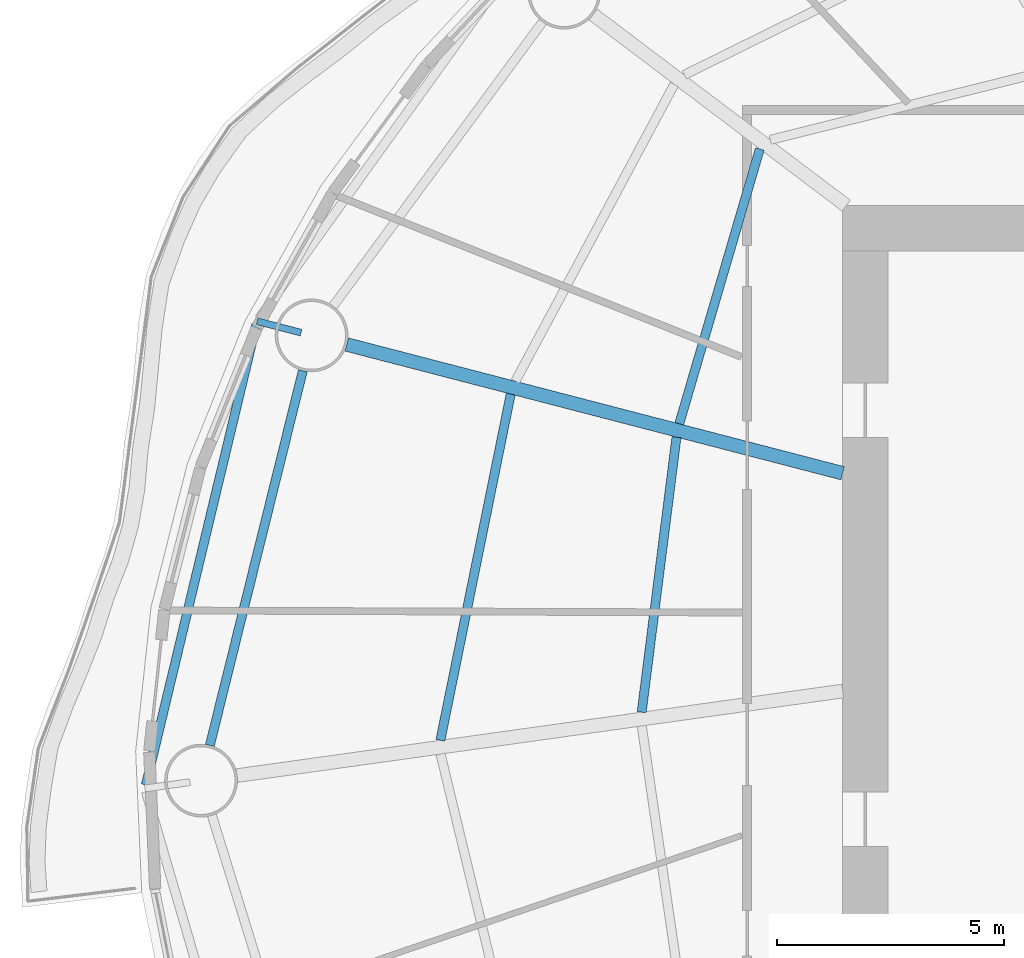
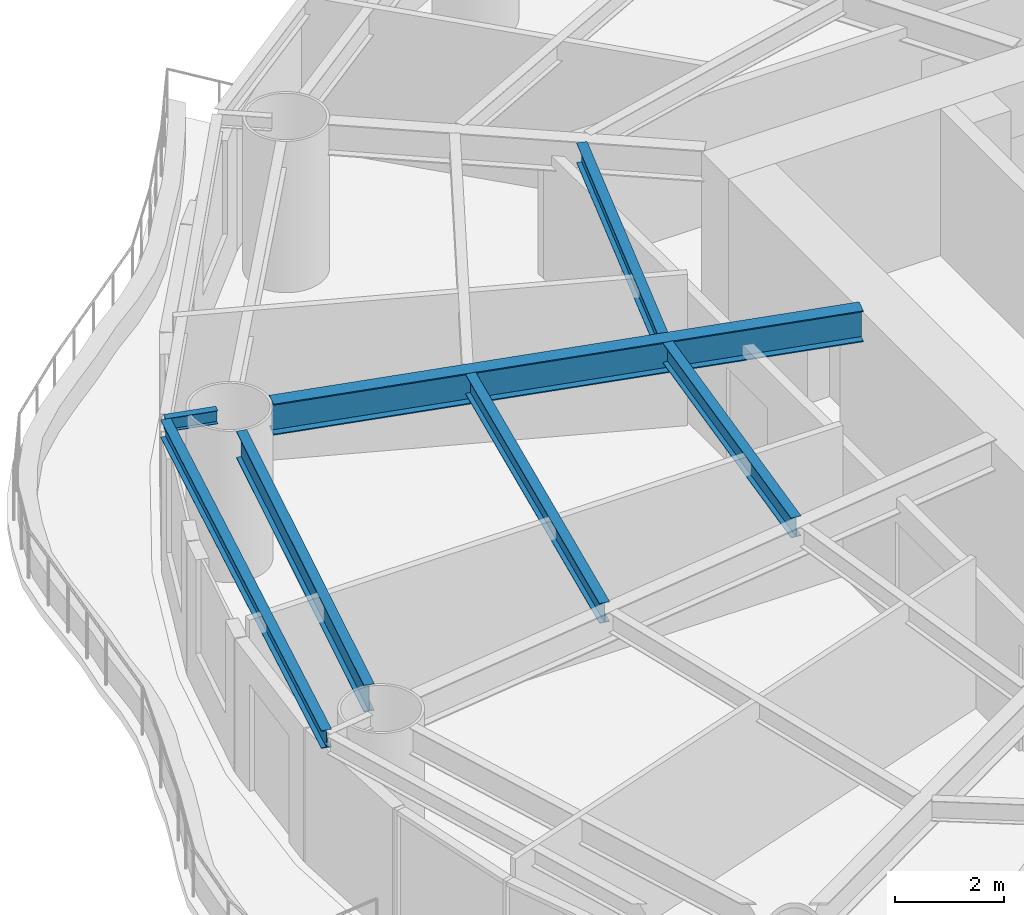
# One storey, part 3 of 14: 7 beams.
"""IFC4 building model written with IfcOpenShell, lengths in metres."""

from ifc_helpers import new_model, si_unit, direction, frame, origin, origin_2d, place, context, subcontext, project, spatial, i_section, extrude, material, material_profile, profile_set, type_object, element, save


model = new_model("IFC4")

# Units and contexts
model_context = context("Model", 3, precision=1e-05, world=origin(), true_north=direction((0.0, 1.0)))
body_context = subcontext(model_context, "Body", "Model", "MODEL_VIEW")
ifc_project = project(units=[si_unit("LENGTHUNIT", "METRE"), si_unit("AREAUNIT", "SQUARE_METRE"), si_unit("VOLUMEUNIT", "CUBIC_METRE"), si_unit("PLANEANGLEUNIT", "RADIAN"), si_unit("MASSUNIT", "GRAM", prefix="KILO")], contexts=[model_context])

# Site, building, storey
site_placement = place(None, origin())
site = spatial("IfcSite", under=ifc_project, at=site_placement, CompositionType="ELEMENT")
building_placement = place(site_placement, origin())
building = spatial("IfcBuilding", under=site, at=building_placement, Name="Vermilion Reach Broadcast Tower", CompositionType="ELEMENT")
storey_placement = place(building_placement, frame((0.0, 0.0, 131.800048828125)))
storey = spatial("IfcBuildingStorey", under=building, at=storey_placement, Name="L31", CompositionType="ELEMENT", Elevation=131.800048828125)

# Beams
ifc_material_1 = material(Name="Steel S355J2", Category="steel")
ifc_material_profile_1 = material_profile(ifc_material_1, i_section(OverallWidth=0.199951171875, OverallDepth=0.39990234375, WebThickness=0.008056640625, FlangeThickness=0.012939453125, at=origin_2d()), Name="S355J2 HN 400x200x8x13")
ifc_profile_set_1 = profile_set([ifc_material_profile_1], Name="Steel S355J2")
beam_type_1 = type_object("IfcBeamType", Name="EB2 HN 400x200x8x13", PredefinedType="BEAM", material=ifc_profile_set_1)
beam_1_placement = place(storey_placement, frame((-30.894775390625, 6.384033203125, 3.199951171875), z_axis=(-0.233210643731, -0.972426241753, 0.0), x_axis=(0.972426241753, -0.233210643731, 0.0)))
element("IfcBeam", 1, at=beam_1_placement, inside=storey, type_object=beam_type_1, Name="Edge beam EB2-07", PredefinedType="BEAM", context=body_context, shape_type="SweptSolid", body=[
    extrude(i_section(OverallWidth=0.199951171875, OverallDepth=0.39990234375, WebThickness=0.008056640625, FlangeThickness=0.012939453125, at=origin_2d()), origin(), (0.0, 0.0, 1.0), 10.4111328125),
])
ifc_material_2 = material(Name="Steel S355J2", Category="steel")
ifc_material_profile_2 = material_profile(ifc_material_2, i_section(OverallWidth=0.300048828125, OverallDepth=0.699951171875, WebThickness=0.012939453125, FlangeThickness=0.02392578125, at=origin_2d()), Name="S355J2 HN 700x300x13x24")
ifc_profile_set_2 = profile_set([ifc_material_profile_2], Name="Steel S355J2")
beam_type_2 = type_object("IfcBeamType", Name="G2 HN 700x300x13x24", PredefinedType="BEAM", material=ifc_profile_set_2)
beam_2_placement = place(storey_placement, frame((-18.0, 3.114501953125, 3.050048828125), z_axis=(-0.967926079816, 0.2512351568, 0.0), x_axis=(-0.2512351568, -0.967926079816, 0.0)))
element("IfcBeam", 2, at=beam_2_placement, inside=storey, type_object=beam_type_2, Name="Girder G2-07", PredefinedType="BEAM", context=body_context, shape_type="SweptSolid", body=[
    extrude(i_section(OverallWidth=0.300048828125, OverallDepth=0.699951171875, WebThickness=0.012939453125, FlangeThickness=0.02392578125, at=origin_2d()), origin(), (0.0, 0.0, 1.0), 11.265625),
])
ifc_material_3 = material(Name="Steel S355J2", Category="steel")
ifc_material_profile_3 = material_profile(ifc_material_3, i_section(OverallWidth=0.14990234375, OverallDepth=0.300048828125, WebThickness=0.006591796875, FlangeThickness=0.009033203125, at=origin_2d()), Name="S355J2 HN 300x150x6.5x9")
ifc_profile_set_3 = profile_set([ifc_material_profile_3], Name="Steel S355J2")
beam_type_3 = type_object("IfcBeamType", Name="GS2 HN 300x150x6.5x9", PredefinedType="BEAM", material=ifc_profile_set_3)
beam_3_placement = place(storey_placement, frame((-29.909423828125, 6.20556640625, 3.25), z_axis=(-0.967919958758, 0.251258738033, 0.0), x_axis=(-0.251258738033, -0.967919958758, 0.0)))
element("IfcBeam", 3, at=beam_3_placement, inside=storey, type_object=beam_type_3, Name="Cantilever stub GS2-07", PredefinedType="BEAM", context=body_context, shape_type="SweptSolid", body=[
    extrude(i_section(OverallWidth=0.14990234375, OverallDepth=0.300048828125, WebThickness=0.006591796875, FlangeThickness=0.009033203125, at=origin_2d()), origin(), (0.0, 0.0, 1.0), 0.999755859375),
])
ifc_material_4 = material(Name="Steel S355J2", Category="steel")
ifc_material_profile_4 = material_profile(ifc_material_4, i_section(OverallWidth=0.199951171875, OverallDepth=0.60009765625, WebThickness=0.010986328125, FlangeThickness=0.01708984375, at=origin_2d()), Name="S355J2 HN 600x200x11x17")
ifc_profile_set_4 = profile_set([ifc_material_profile_4], Name="Steel S355J2")
beam_type_4 = type_object("IfcBeamType", Name="RB2 HN 600x200x11x17", PredefinedType="BEAM", material=ifc_profile_set_4)
beam_4_placement = place(storey_placement, frame((-29.871337890625, 5.369384765625, 3.099853515625), z_axis=(-0.240863809798, -0.970558924089, 0.0), x_axis=(0.970558924089, -0.240863809798, 0.0)))
element("IfcBeam", 4, at=beam_4_placement, inside=storey, type_object=beam_type_4, Name="Ring beam RB2-07", PredefinedType="BEAM", context=body_context, shape_type="SweptSolid", body=[
    extrude(i_section(OverallWidth=0.199951171875, OverallDepth=0.60009765625, WebThickness=0.010986328125, FlangeThickness=0.01708984375, at=origin_2d()), origin(), (0.0, 0.0, 1.0), 8.489013671875),
])
ifc_material_5 = material(Name="Steel S355J2", Category="steel")
ifc_material_profile_5 = material_profile(ifc_material_5, i_section(OverallWidth=0.199951171875, OverallDepth=0.449951171875, WebThickness=0.009033203125, FlangeThickness=0.013916015625, at=origin_2d()), Name="S355J2 HN 450x200x9x14")
ifc_profile_set_5 = profile_set([ifc_material_profile_5], Name="Steel S355J2")
beam_type_5 = type_object("IfcBeamType", Name="SB2 HN 450x200x9x14", PredefinedType="BEAM", material=ifc_profile_set_5)
beam_5_placement = place(storey_placement, frame((-19.821533203125, 10.246337890625, 3.175048828125), z_axis=(-0.281175657723, -0.959656318431, 0.0), x_axis=(0.959656318431, -0.281175657723, 0.0)))
element("IfcBeam", 5, at=beam_5_placement, inside=storey, type_object=beam_type_5, Name="Secondary beam SB2-06-1", PredefinedType="BEAM", context=body_context, shape_type="SweptSolid", body=[
    extrude(i_section(OverallWidth=0.199951171875, OverallDepth=0.449951171875, WebThickness=0.009033203125, FlangeThickness=0.013916015625, at=origin_2d()), origin(), (0.0, 0.0, 1.0), 6.298583984375),
])
beam_6_placement = place(storey_placement, frame((-21.65380859375, 3.907958984375, 3.175048828125), z_axis=(-0.125557241128, -0.992086376885, 0.0), x_axis=(0.992086376885, -0.125557241128, 0.0)))
element("IfcBeam", 6, at=beam_6_placement, inside=storey, type_object=beam_type_5, Name="Secondary beam SB2-07-1", PredefinedType="BEAM", context=body_context, shape_type="SweptSolid", body=[
    extrude(i_section(OverallWidth=0.199951171875, OverallDepth=0.449951171875, WebThickness=0.009033203125, FlangeThickness=0.013916015625, at=origin_2d()), origin(), (0.0, 0.0, 1.0), 6.097900390625),
])
beam_7_placement = place(storey_placement, frame((-25.29931640625, 4.854248046875, 3.175048828125), z_axis=(-0.19906416804, -0.979986457561, 0.0), x_axis=(0.979986457561, -0.19906416804, 0.0)))
element("IfcBeam", 7, at=beam_7_placement, inside=storey, type_object=beam_type_5, Name="Secondary beam SB2-07-2", PredefinedType="BEAM", context=body_context, shape_type="SweptSolid", body=[
    extrude(i_section(OverallWidth=0.199951171875, OverallDepth=0.449951171875, WebThickness=0.009033203125, FlangeThickness=0.013916015625, at=origin_2d()), origin(), (0.0, 0.0, 1.0), 7.76953125),
])

save(model, "model.ifc")
